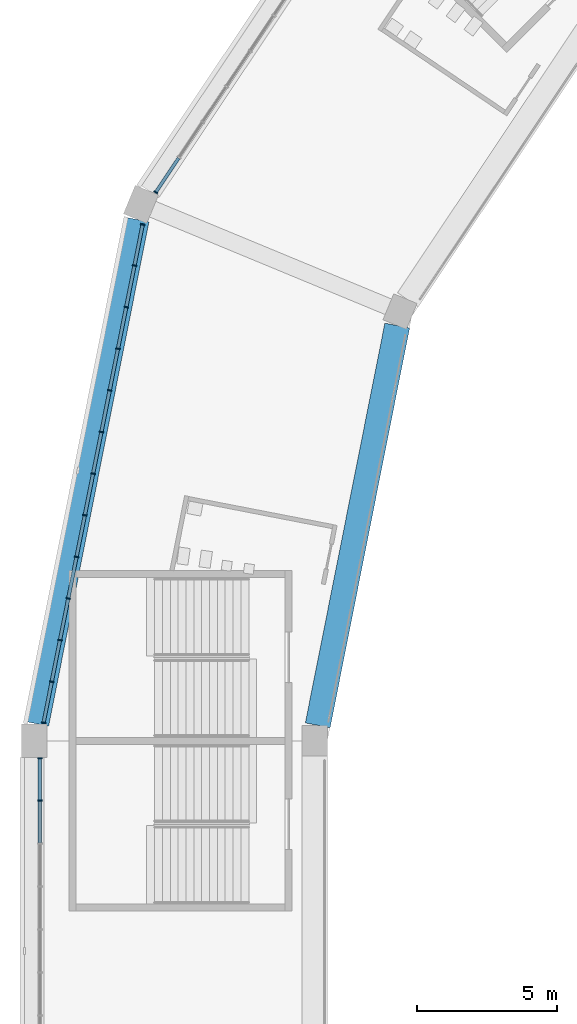
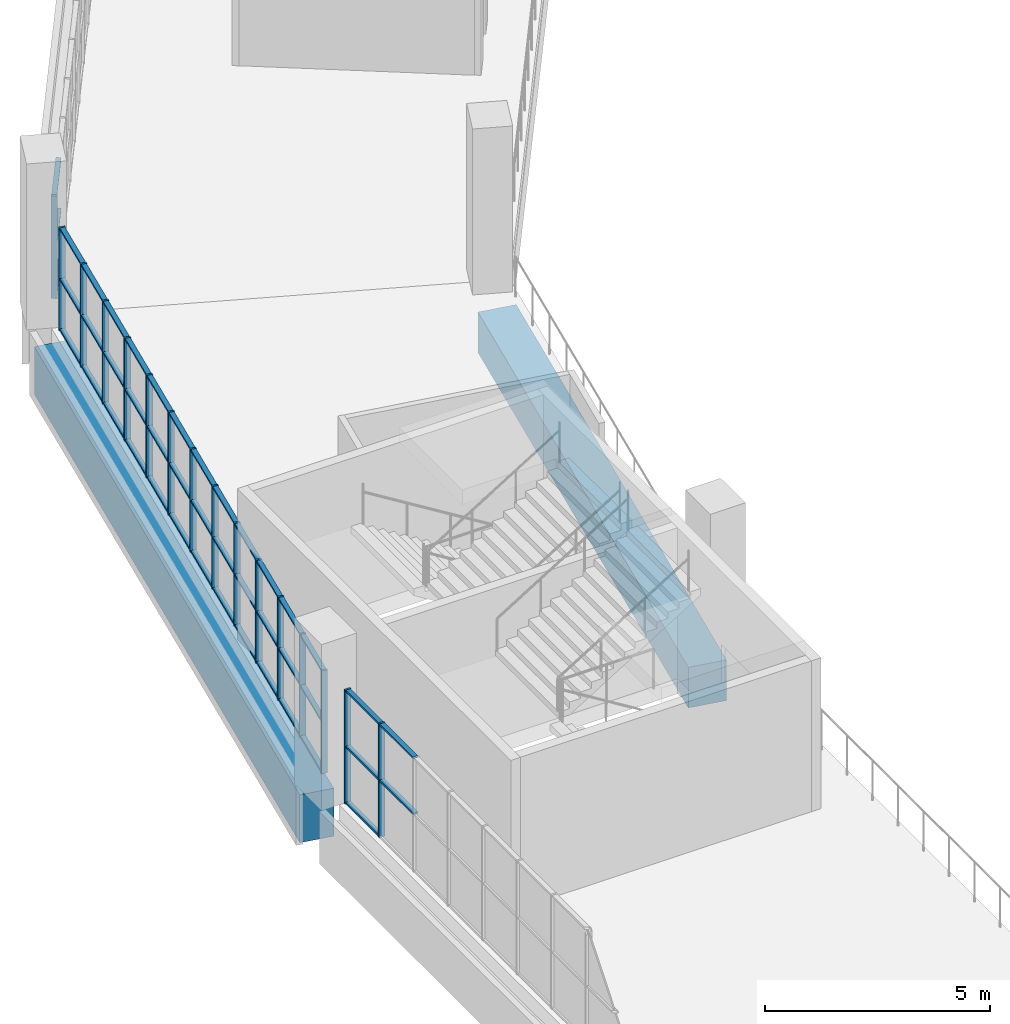
# One storey, part 28 of 177: 60 members, 2 beams, 3 elements without a shape of their own.
"""IFC4 building model written with IfcOpenShell, lengths in metres."""

import ifcopenshell
import ifcopenshell.guid

model = None  # the IFC model being written
_history = None  # IfcOwnerHistory: only IFC2X3 demands one
_inside = {}  # id of a spatial element -> (the spatial element, [elements in it])
_under = {}  # id of a project, library or spatial element -> (it, [spatial elements below it])
_declared = {}  # id of a project -> (the project, [libraries it declares])
_typed = {}  # id of a type object -> (the type object, [elements of that type])
_made_of = {}  # id of a material, layer set ... -> (it, [elements and type objects made of it])


def new_model(schema):
    """Start an empty IFC model of exactly this schema.

    Asked for "IFC4X3", IfcOpenShell would pick the latest addendum, in which some entities
    have other attributes; the version numbers below select the first issue.
    IFC2X3 requires an IfcOwnerHistory on every rooted entity: one is made here for all.
    """
    global model, _history
    if schema == "IFC4X3":
        model = ifcopenshell.file(schema_version=(4, 3, 0, 0))
    else:
        model = ifcopenshell.file(schema=schema)
    _inside.clear()
    _under.clear()
    _declared.clear()
    _typed.clear()
    _made_of.clear()
    _history = None
    if model.schema == "IFC2X3":
        org = make("IfcOrganization", Name="unknown")
        user = make(
            "IfcPersonAndOrganization",
            ThePerson=make("IfcPerson", FamilyName="unknown"),
            TheOrganization=org,
        )
        app = make(
            "IfcApplication",
            ApplicationDeveloper=org,
            Version="unknown",
            ApplicationFullName="unknown",
            ApplicationIdentifier="unknown",
        )
        _history = make(
            "IfcOwnerHistory",
            OwningUser=user,
            OwningApplication=app,
            ChangeAction="ADDED",
            CreationDate=0,
        )
    return model


def make(cls, **values):
    """One entity of the class cls with the attributes given. An attribute that is None is left unset."""
    return model.create_entity(
        cls, **{name: value for name, value in values.items() if value is not None}
    )


def rooted(cls, **values):
    """An entity with a GlobalId (a new one), such as an element, a storey or a relation."""
    return make(cls, GlobalId=ifcopenshell.guid.new(), OwnerHistory=_history, **values)


def si_unit(unit_type, name, prefix=None):
    """IfcSIUnit, for example si_unit("LENGTHUNIT", "METRE", prefix="MILLI")."""
    return make("IfcSIUnit", UnitType=unit_type, Prefix=prefix, Name=name)


def assignment(units):
    """IfcUnitAssignment: the units of a project."""
    return None if units is None else make("IfcUnitAssignment", Units=units)


def point(xyz):
    """IfcCartesianPoint."""
    return None if xyz is None else make("IfcCartesianPoint", Coordinates=xyz)


def direction(xyz):
    """IfcDirection."""
    return None if xyz is None else make("IfcDirection", DirectionRatios=xyz)


def frame(location, z_axis=None, x_axis=None):
    """IfcAxis2Placement3D, a coordinate frame: its origin and axes. An axis left out is left unset."""
    return make(
        "IfcAxis2Placement3D",
        Location=point(location),
        Axis=direction(z_axis),
        RefDirection=direction(x_axis),
    )


def frame_2d(location, x_axis=None):
    """IfcAxis2Placement2D, a coordinate frame in the plane: its origin and x axis."""
    return make(
        "IfcAxis2Placement2D", Location=point(location), RefDirection=direction(x_axis)
    )


def origin():
    """The frame at (0, 0, 0) with its axes left unset."""
    return frame((0.0, 0.0, 0.0))


def origin_2d():
    """The frame at (0, 0) in the plane with its x axis left unset."""
    return frame_2d((0.0, 0.0))


def place(relative_to, where):
    """IfcLocalPlacement: puts the frame where relative to a parent placement (None: the world)."""
    return make(
        "IfcLocalPlacement", PlacementRelTo=relative_to, RelativePlacement=where
    )


def context(
    kind, dimensions, precision=None, world=None, true_north=None, identifier=None
):
    """IfcGeometricRepresentationContext, for example the 3D "Model" context."""
    return make(
        "IfcGeometricRepresentationContext",
        ContextIdentifier=identifier,
        ContextType=kind,
        CoordinateSpaceDimension=dimensions,
        Precision=precision,
        WorldCoordinateSystem=world,
        TrueNorth=true_north,
    )


def subcontext(parent, identifier, kind, view, scale=None):
    """IfcGeometricRepresentationSubContext, for example "Body" below "Model"."""
    return make(
        "IfcGeometricRepresentationSubContext",
        ContextIdentifier=identifier,
        ContextType=kind,
        ParentContext=parent,
        TargetScale=scale,
        TargetView=view,
    )


def project(units=None, contexts=None):
    """IfcProject with its units and contexts."""
    return rooted(
        "IfcProject",
        Name="project",
        RepresentationContexts=contexts,
        UnitsInContext=assignment(units),
    )


def spatial(cls, under=None, at=None, **own):
    """A site, building, storey or space (cls), placed at a placement, below another one or the project."""
    s = rooted(cls, ObjectPlacement=at, **own)
    if under is not None:
        _under.setdefault(under.id(), (under, []))[1].append(s)
    return s


def profile(cls, at=None, kind="AREA", **sizes):
    """A parametric profile (cls). Its sizes go by their IFC names, for example OverallWidth=200.0."""
    return make(cls, ProfileType=kind, Position=at, **sizes)


def rectangle(**sizes):
    """IfcRectangleProfileDef."""
    return profile("IfcRectangleProfileDef", **sizes)


def extrude(swept, where, along, depth):
    """IfcExtrudedAreaSolid: the profile swept, set in the frame where, extruded along a direction by depth."""
    return make(
        "IfcExtrudedAreaSolid",
        SweptArea=swept,
        Position=where,
        ExtrudedDirection=direction(along),
        Depth=depth,
    )


def shape(context_of_items, identifier, shape_type, items):
    """IfcShapeRepresentation: the items that make up one representation, for example the "Body"."""
    return make(
        "IfcShapeRepresentation",
        ContextOfItems=context_of_items,
        RepresentationIdentifier=identifier,
        RepresentationType=shape_type,
        Items=items,
    )


def material(Name=None, Category=None):
    """IfcMaterial."""
    return make("IfcMaterial", Name=Name, Category=Category)


def material_profile(
    of_material, cross_section, Name=None, Category=None, Priority=None
):
    """IfcMaterialProfile: a cross section and its material."""
    return make(
        "IfcMaterialProfile",
        Name=Name,
        Material=of_material,
        Profile=cross_section,
        Priority=Priority,
        Category=Category,
    )


def profile_set(profiles, Name=None, composite=None):
    """IfcMaterialProfileSet."""
    return make(
        "IfcMaterialProfileSet",
        Name=Name,
        MaterialProfiles=profiles,
        CompositeProfile=composite,
    )


def made_of(thing, what):
    """Note that an element or type object is made of a material, layer set ...; save() writes the relation."""
    if what is not None:
        _made_of.setdefault(what.id(), (what, []))[1].append(thing)
    return thing


def type_object(cls, material=None, **own):
    """A type object (cls), such as IfcWallType, which elements share."""
    return made_of(rooted(cls, **own), material)


def element(
    cls,
    number,
    at=None,
    inside=None,
    cuts=None,
    type_object=None,
    material=None,
    context=None,
    identifier="Body",
    shape_type=None,
    held_by="IfcProductDefinitionShape",
    body=None,
    shapes=None,
    **own,
):
    """One element of the class cls, such as IfcWall. Its Tag is "e" and its number.

    at: its placement. inside: the storey or other place that contains it. cuts: it is an
    opening in that element (IfcRelVoidsElement). A single representation is given by context,
    identifier, shape_type and body (its items); several are given by shapes. held_by: the class
    of the entity that holds the representations. save() writes the other relations.
    """
    e = rooted(cls, Tag="e%d" % number, ObjectPlacement=at, **own)
    if body is not None:
        shapes = [shape(context, identifier, shape_type, body)]
    if shapes is not None:
        e.Representation = make(held_by, Representations=shapes)
    if inside is not None:
        _inside.setdefault(inside.id(), (inside, []))[1].append(e)
    if cuts is not None:
        rooted(
            "IfcRelVoidsElement", RelatingBuildingElement=cuts, RelatedOpeningElement=e
        )
    if type_object is not None:
        _typed.setdefault(type_object.id(), (type_object, []))[1].append(e)
    return made_of(e, material)


def aggregate(whole, parts):
    """IfcRelAggregates: a whole, such as a stair, and the parts it consists of."""
    return rooted("IfcRelAggregates", RelatingObject=whole, RelatedObjects=parts)


def save(model, path):
    """Write the relations noted so far, then the file.

    IfcRelAggregates (storeys below a building ...), IfcRelContainedInSpatialStructure (elements
    in a storey), IfcRelDefinesByType, IfcRelAssociatesMaterial and IfcRelDeclares: one each for
    every whole, place, type object, material and project.
    """
    for whole, parts in _under.values():
        aggregate(whole, parts)
    for where, things in _inside.values():
        rooted(
            "IfcRelContainedInSpatialStructure",
            RelatedElements=things,
            RelatingStructure=where,
        )
    for kind, things in _typed.values():
        rooted("IfcRelDefinesByType", RelatedObjects=things, RelatingType=kind)
    for what, things in _made_of.values():
        rooted("IfcRelAssociatesMaterial", RelatedObjects=things, RelatingMaterial=what)
    for by, libraries in _declared.values():
        rooted("IfcRelDeclares", RelatingContext=by, RelatedDefinitions=libraries)
    model.write(path)


model = new_model("IFC4")

# Units and contexts
model_context = context("Model", 3, precision=1e-05, world=origin(), true_north=direction((0.0, 1.0)))
body_context = subcontext(model_context, "Body", "Model", "MODEL_VIEW")
ifc_project = project(units=[si_unit("LENGTHUNIT", "METRE"), si_unit("AREAUNIT", "SQUARE_METRE"), si_unit("VOLUMEUNIT", "CUBIC_METRE"), si_unit("PLANEANGLEUNIT", "RADIAN"), si_unit("MASSUNIT", "GRAM", prefix="KILO")], contexts=[model_context])

# Site, building, storey
site_placement = place(None, origin())
site = spatial("IfcSite", under=ifc_project, at=site_placement, CompositionType="ELEMENT")
building_placement = place(site_placement, origin())
building = spatial("IfcBuilding", under=site, at=building_placement, Name="Ogive Plaza Stadium", CompositionType="ELEMENT")
storey_placement = place(building_placement, frame((0.0, 0.0, 18.0)))
storey = spatial("IfcBuildingStorey", under=building, at=storey_placement, Name="L04", CompositionType="ELEMENT", Elevation=18.0)

# Curtain wall, members
ifc_material_1 = material(Name="Bronze-anodised aluminium with laminated glass", Category="aluminium")
curtain_wall_type = type_object("IfcCurtainWallType", Name="Lancet curtain wall", PredefinedType="NOTDEFINED", material=ifc_material_1)
curtain_wall_1_placement = place(storey_placement, origin())
curtain_wall_1 = element("IfcCurtainWall", 1, at=curtain_wall_1_placement, inside=storey, type_object=curtain_wall_type, Name="CURTAIN WALL B27 L04", PredefinedType="NOTDEFINED")
ifc_material_2 = material(Name="Bronze-anodised aluminium", Category="aluminium")
ifc_material_profile_1 = material_profile(ifc_material_2, rectangle(XDim=0.14990234375, YDim=0.050048828125, at=origin_2d()), Name="AL 150x50")
ifc_profile_set_1 = profile_set([ifc_material_profile_1], Name="Bronze-anodised aluminium")
member_type_1 = type_object("IfcMemberType", Name="Curtain wall mullion 50x150", PredefinedType="MULLION", material=ifc_profile_set_1)
member_1_placement = place(storey_placement, frame((-83.800048828125, 50.36669921875, 0.0), z_axis=(0.0, 0.0, 1.0), x_axis=(-1.0, 0.0, 0.0)))
member_1 = element("IfcMember", 2, at=member_1_placement, type_object=member_type_1, Name="CW-B27-L04 mullion 9", PredefinedType="MULLION", context=body_context, shape_type="SweptSolid", body=[
    extrude(rectangle(XDim=0.14990234375, YDim=0.050048828125, at=origin_2d()), origin(), (0.0, 0.0, 1.0), 3.090087890625),
])
member_2_placement = place(storey_placement, frame((-83.800048828125, 51.875, 0.0), z_axis=(0.0, 0.0, 1.0), x_axis=(-1.0, 0.0, 0.0)))
member_2 = element("IfcMember", 3, at=member_2_placement, type_object=member_type_1, Name="CW-B27-L04 mullion 10", PredefinedType="MULLION", context=body_context, shape_type="SweptSolid", body=[
    extrude(rectangle(XDim=0.14990234375, YDim=0.050048828125, at=origin_2d()), origin(), (0.0, 0.0, 1.0), 3.090087890625),
])

curtain_wall_2_placement = place(storey_placement, origin())
curtain_wall_2 = element("IfcCurtainWall", 4, at=curtain_wall_2_placement, inside=storey, type_object=curtain_wall_type, Name="CURTAIN WALL B28 L04", PredefinedType="NOTDEFINED")
member_3_placement = place(storey_placement, frame((-83.66796875, 53.14404296875, 0.0), z_axis=(0.0, 0.0, 1.0), x_axis=(-0.980785280403, 0.195090322016, 0.0)))
member_3 = element("IfcMember", 5, at=member_3_placement, type_object=member_type_1, Name="CW-B28-L04 mullion 1", PredefinedType="MULLION", context=body_context, shape_type="SweptSolid", body=[
    extrude(rectangle(XDim=0.14990234375, YDim=0.050048828125, at=origin_2d()), origin(), (0.0, 0.0, 1.0), 2.7900390625),
])
member_4_placement = place(storey_placement, frame((-83.37744140625, 54.604248046875, 0.0), z_axis=(0.0, 0.0, 1.0), x_axis=(-0.980785280403, 0.195090322016, 0.0)))
member_4 = element("IfcMember", 6, at=member_4_placement, type_object=member_type_1, Name="CW-B28-L04 mullion 2", PredefinedType="MULLION", context=body_context, shape_type="SweptSolid", body=[
    extrude(rectangle(XDim=0.14990234375, YDim=0.050048828125, at=origin_2d()), origin(), (0.0, 0.0, 1.0), 2.7900390625),
])
member_5_placement = place(storey_placement, frame((-83.082275390625, 56.089111328125, 0.0), z_axis=(0.0, 0.0, 1.0), x_axis=(-0.980785280403, 0.195090322016, 0.0)))
member_5 = element("IfcMember", 7, at=member_5_placement, type_object=member_type_1, Name="CW-B28-L04 mullion 3", PredefinedType="MULLION", context=body_context, shape_type="SweptSolid", body=[
    extrude(rectangle(XDim=0.14990234375, YDim=0.050048828125, at=origin_2d()), origin(), (0.0, 0.0, 1.0), 2.7900390625),
])
member_6_placement = place(storey_placement, frame((-82.786865234375, 57.57373046875, 0.0), z_axis=(0.0, 0.0, 1.0), x_axis=(-0.980785280403, 0.195090322016, 0.0)))
member_6 = element("IfcMember", 8, at=member_6_placement, type_object=member_type_1, Name="CW-B28-L04 mullion 4", PredefinedType="MULLION", context=body_context, shape_type="SweptSolid", body=[
    extrude(rectangle(XDim=0.14990234375, YDim=0.050048828125, at=origin_2d()), origin(), (0.0, 0.0, 1.0), 2.7900390625),
])
member_7_placement = place(storey_placement, frame((-82.491455078125, 59.05859375, 0.0), z_axis=(0.0, 0.0, 1.0), x_axis=(-0.980785280403, 0.195090322016, 0.0)))
member_7 = element("IfcMember", 9, at=member_7_placement, type_object=member_type_1, Name="CW-B28-L04 mullion 5", PredefinedType="MULLION", context=body_context, shape_type="SweptSolid", body=[
    extrude(rectangle(XDim=0.14990234375, YDim=0.050048828125, at=origin_2d()), origin(), (0.0, 0.0, 1.0), 2.7900390625),
])
member_8_placement = place(storey_placement, frame((-82.1962890625, 60.543212890625, 0.0), z_axis=(0.0, 0.0, 1.0), x_axis=(-0.980785280403, 0.195090322016, 0.0)))
member_8 = element("IfcMember", 10, at=member_8_placement, type_object=member_type_1, Name="CW-B28-L04 mullion 6", PredefinedType="MULLION", context=body_context, shape_type="SweptSolid", body=[
    extrude(rectangle(XDim=0.14990234375, YDim=0.050048828125, at=origin_2d()), origin(), (0.0, 0.0, 1.0), 2.7900390625),
])
member_9_placement = place(storey_placement, frame((-81.90087890625, 62.028076171875, 0.0), z_axis=(0.0, 0.0, 1.0), x_axis=(-0.980785280403, 0.195090322016, 0.0)))
member_9 = element("IfcMember", 11, at=member_9_placement, type_object=member_type_1, Name="CW-B28-L04 mullion 7", PredefinedType="MULLION", context=body_context, shape_type="SweptSolid", body=[
    extrude(rectangle(XDim=0.14990234375, YDim=0.050048828125, at=origin_2d()), origin(), (0.0, 0.0, 1.0), 2.7900390625),
])
member_10_placement = place(storey_placement, frame((-81.60546875, 63.512939453125, 0.0), z_axis=(0.0, 0.0, 1.0), x_axis=(-0.980785280403, 0.195090322016, 0.0)))
member_10 = element("IfcMember", 12, at=member_10_placement, type_object=member_type_1, Name="CW-B28-L04 mullion 8", PredefinedType="MULLION", context=body_context, shape_type="SweptSolid", body=[
    extrude(rectangle(XDim=0.14990234375, YDim=0.050048828125, at=origin_2d()), origin(), (0.0, 0.0, 1.0), 2.7900390625),
])
member_11_placement = place(storey_placement, frame((-81.31005859375, 64.99755859375, 0.0), z_axis=(0.0, 0.0, 1.0), x_axis=(-0.980785280403, 0.195090322016, 0.0)))
member_11 = element("IfcMember", 13, at=member_11_placement, type_object=member_type_1, Name="CW-B28-L04 mullion 9", PredefinedType="MULLION", context=body_context, shape_type="SweptSolid", body=[
    extrude(rectangle(XDim=0.14990234375, YDim=0.050048828125, at=origin_2d()), origin(), (0.0, 0.0, 1.0), 2.7900390625),
])
member_12_placement = place(storey_placement, frame((-81.014892578125, 66.482421875, 0.0), z_axis=(0.0, 0.0, 1.0), x_axis=(-0.980785280403, 0.195090322016, 0.0)))
member_12 = element("IfcMember", 14, at=member_12_placement, type_object=member_type_1, Name="CW-B28-L04 mullion 10", PredefinedType="MULLION", context=body_context, shape_type="SweptSolid", body=[
    extrude(rectangle(XDim=0.14990234375, YDim=0.050048828125, at=origin_2d()), origin(), (0.0, 0.0, 1.0), 2.7900390625),
])
member_13_placement = place(storey_placement, frame((-80.719482421875, 67.967041015625, 0.0), z_axis=(0.0, 0.0, 1.0), x_axis=(-0.980785280403, 0.195090322016, 0.0)))
member_13 = element("IfcMember", 15, at=member_13_placement, type_object=member_type_1, Name="CW-B28-L04 mullion 11", PredefinedType="MULLION", context=body_context, shape_type="SweptSolid", body=[
    extrude(rectangle(XDim=0.14990234375, YDim=0.050048828125, at=origin_2d()), origin(), (0.0, 0.0, 1.0), 2.7900390625),
])
member_14_placement = place(storey_placement, frame((-80.424072265625, 69.451904296875, 0.0), z_axis=(0.0, 0.0, 1.0), x_axis=(-0.980785280403, 0.195090322016, 0.0)))
member_14 = element("IfcMember", 16, at=member_14_placement, type_object=member_type_1, Name="CW-B28-L04 mullion 12", PredefinedType="MULLION", context=body_context, shape_type="SweptSolid", body=[
    extrude(rectangle(XDim=0.14990234375, YDim=0.050048828125, at=origin_2d()), origin(), (0.0, 0.0, 1.0), 2.7900390625),
])
member_15_placement = place(storey_placement, frame((-80.1337890625, 70.912109375, 0.0), z_axis=(0.0, 0.0, 1.0), x_axis=(-0.980785280403, 0.195090322016, 0.0)))
member_15 = element("IfcMember", 17, at=member_15_placement, type_object=member_type_1, Name="CW-B28-L04 mullion 13", PredefinedType="MULLION", context=body_context, shape_type="SweptSolid", body=[
    extrude(rectangle(XDim=0.14990234375, YDim=0.050048828125, at=origin_2d()), origin(), (0.0, 0.0, 1.0), 2.7900390625),
])

# Curtain wall, member
curtain_wall_3_placement = place(storey_placement, origin())
curtain_wall_3 = element("IfcCurtainWall", 18, at=curtain_wall_3_placement, inside=storey, type_object=curtain_wall_type, Name="CURTAIN WALL B29 L04", PredefinedType="NOTDEFINED")
member_16_placement = place(storey_placement, frame((-79.669189453125, 72.059814453125, 0.0), z_axis=(0.0, 0.0, 1.0), x_axis=(-0.831469612303, 0.55557023302, 0.0)))
member_16 = element("IfcMember", 19, at=member_16_placement, type_object=member_type_1, Name="CW-B29-L04 mullion 1", PredefinedType="MULLION", context=body_context, shape_type="SweptSolid", body=[
    extrude(rectangle(XDim=0.14990234375, YDim=0.050048828125, at=origin_2d()), origin(), (0.0, 0.0, 1.0), 2.7900390625),
])

# Member
ifc_material_3 = material(Name="Bronze-anodised aluminium", Category="aluminium")
ifc_material_profile_2 = material_profile(ifc_material_3, rectangle(XDim=0.1201171875, YDim=0.050048828125, at=origin_2d()), Name="AL 120x50")
ifc_profile_set_2 = profile_set([ifc_material_profile_2], Name="Bronze-anodised aluminium")
member_type_2 = type_object("IfcMemberType", Name="Curtain wall transom 50x120", PredefinedType="USERDEFINED", material=ifc_profile_set_2)
member_17_placement = place(storey_placement, frame((-83.800048828125, 48.8583984375, 1.544921875), z_axis=(0.0, 1.0, 0.0), x_axis=(-1.0, 0.0, 0.0)))
member_17 = element("IfcMember", 20, at=member_17_placement, type_object=member_type_2, Name="CW-B27-L04 transom 8.2", ObjectType="TRANSOM", PredefinedType="USERDEFINED", context=body_context, shape_type="SweptSolid", body=[
    extrude(rectangle(XDim=0.1201171875, YDim=0.050048828125, at=origin_2d()), origin(), (0.0, 0.0, 1.0), 1.483154296875),
])

member_18_placement = place(storey_placement, frame((-83.800048828125, 48.8583984375, 3.06494140625), z_axis=(0.0, 1.0, 0.0), x_axis=(-1.0, 0.0, 0.0)))
member_18 = element("IfcMember", 21, at=member_18_placement, type_object=member_type_2, Name="CW-B27-L04 transom 8.3", ObjectType="TRANSOM", PredefinedType="USERDEFINED", context=body_context, shape_type="SweptSolid", body=[
    extrude(rectangle(XDim=0.1201171875, YDim=0.050048828125, at=origin_2d()), origin(), (0.0, 0.0, 1.0), 1.483154296875),
])

member_19_placement = place(storey_placement, frame((-83.800048828125, 50.3916015625, 0.02490234375), z_axis=(0.0, 1.0, 0.0), x_axis=(-1.0, 0.0, 0.0)))
member_19 = element("IfcMember", 22, at=member_19_placement, type_object=member_type_2, Name="CW-B27-L04 transom 9.1", ObjectType="TRANSOM", PredefinedType="USERDEFINED", context=body_context, shape_type="SweptSolid", body=[
    extrude(rectangle(XDim=0.1201171875, YDim=0.050048828125, at=origin_2d()), origin(), (0.0, 0.0, 1.0), 1.45849609375),
])

member_20_placement = place(storey_placement, frame((-83.800048828125, 50.3916015625, 1.544921875), z_axis=(0.0, 1.0, 0.0), x_axis=(-1.0, 0.0, 0.0)))
member_20 = element("IfcMember", 23, at=member_20_placement, type_object=member_type_2, Name="CW-B27-L04 transom 9.2", ObjectType="TRANSOM", PredefinedType="USERDEFINED", context=body_context, shape_type="SweptSolid", body=[
    extrude(rectangle(XDim=0.1201171875, YDim=0.050048828125, at=origin_2d()), origin(), (0.0, 0.0, 1.0), 1.45849609375),
])

member_21_placement = place(storey_placement, frame((-83.800048828125, 50.3916015625, 3.06494140625), z_axis=(0.0, 1.0, 0.0), x_axis=(-1.0, 0.0, 0.0)))
member_21 = element("IfcMember", 24, at=member_21_placement, type_object=member_type_2, Name="CW-B27-L04 transom 9.3", ObjectType="TRANSOM", PredefinedType="USERDEFINED", context=body_context, shape_type="SweptSolid", body=[
    extrude(rectangle(XDim=0.1201171875, YDim=0.050048828125, at=origin_2d()), origin(), (0.0, 0.0, 1.0), 1.45849609375),
])

aggregate(curtain_wall_1, [member_1, member_2, member_17, member_18, member_19, member_20, member_21])

member_22_placement = place(storey_placement, frame((-83.6630859375, 53.16845703125, 0.02490234375), z_axis=(0.195104618913, 0.980782436465, 0.0), x_axis=(-0.980782436465, 0.195104618913, 0.0)))
member_22 = element("IfcMember", 25, at=member_22_placement, type_object=member_type_2, Name="CW-B28-L04 transom 1.1", ObjectType="TRANSOM", PredefinedType="USERDEFINED", context=body_context, shape_type="SweptSolid", body=[
    extrude(rectangle(XDim=0.1201171875, YDim=0.050048828125, at=origin_2d()), origin(), (0.0, 0.0, 1.0), 1.43896484375),
])

member_23_placement = place(storey_placement, frame((-83.6630859375, 53.16845703125, 1.39501953125), z_axis=(0.195104618913, 0.980782436465, 0.0), x_axis=(-0.980782436465, 0.195104618913, 0.0)))
member_23 = element("IfcMember", 26, at=member_23_placement, type_object=member_type_2, Name="CW-B28-L04 transom 1.2", ObjectType="TRANSOM", PredefinedType="USERDEFINED", context=body_context, shape_type="SweptSolid", body=[
    extrude(rectangle(XDim=0.1201171875, YDim=0.050048828125, at=origin_2d()), origin(), (0.0, 0.0, 1.0), 1.43896484375),
])

member_24_placement = place(storey_placement, frame((-83.6630859375, 53.16845703125, 2.764892578125), z_axis=(0.195104618913, 0.980782436465, 0.0), x_axis=(-0.980782436465, 0.195104618913, 0.0)))
member_24 = element("IfcMember", 27, at=member_24_placement, type_object=member_type_2, Name="CW-B28-L04 transom 1.3", ObjectType="TRANSOM", PredefinedType="USERDEFINED", context=body_context, shape_type="SweptSolid", body=[
    extrude(rectangle(XDim=0.1201171875, YDim=0.050048828125, at=origin_2d()), origin(), (0.0, 0.0, 1.0), 1.43896484375),
])

member_25_placement = place(storey_placement, frame((-83.37255859375, 54.62890625, 0.02490234375), z_axis=(0.194993290732, 0.980804576136, 0.0), x_axis=(-0.980804576136, 0.194993290732, 0.0)))
member_25 = element("IfcMember", 28, at=member_25_placement, type_object=member_type_2, Name="CW-B28-L04 transom 2.1", ObjectType="TRANSOM", PredefinedType="USERDEFINED", context=body_context, shape_type="SweptSolid", body=[
    extrude(rectangle(XDim=0.1201171875, YDim=0.050048828125, at=origin_2d()), origin(), (0.0, 0.0, 1.0), 1.463623046875),
])

member_26_placement = place(storey_placement, frame((-83.37255859375, 54.62890625, 1.39501953125), z_axis=(0.194993290732, 0.980804576136, 0.0), x_axis=(-0.980804576136, 0.194993290732, 0.0)))
member_26 = element("IfcMember", 29, at=member_26_placement, type_object=member_type_2, Name="CW-B28-L04 transom 2.2", ObjectType="TRANSOM", PredefinedType="USERDEFINED", context=body_context, shape_type="SweptSolid", body=[
    extrude(rectangle(XDim=0.1201171875, YDim=0.050048828125, at=origin_2d()), origin(), (0.0, 0.0, 1.0), 1.463623046875),
])

member_27_placement = place(storey_placement, frame((-83.37255859375, 54.62890625, 2.764892578125), z_axis=(0.194993290732, 0.980804576136, 0.0), x_axis=(-0.980804576136, 0.194993290732, 0.0)))
member_27 = element("IfcMember", 30, at=member_27_placement, type_object=member_type_2, Name="CW-B28-L04 transom 2.3", ObjectType="TRANSOM", PredefinedType="USERDEFINED", context=body_context, shape_type="SweptSolid", body=[
    extrude(rectangle(XDim=0.1201171875, YDim=0.050048828125, at=origin_2d()), origin(), (0.0, 0.0, 1.0), 1.463623046875),
])

member_28_placement = place(storey_placement, frame((-83.077392578125, 56.113525390625, 0.02490234375), z_axis=(0.195121823859, 0.980779013771, 0.0), x_axis=(-0.980779013771, 0.195121823859, 0.0)))
member_28 = element("IfcMember", 31, at=member_28_placement, type_object=member_type_2, Name="CW-B28-L04 transom 3.1", ObjectType="TRANSOM", PredefinedType="USERDEFINED", context=body_context, shape_type="SweptSolid", body=[
    extrude(rectangle(XDim=0.1201171875, YDim=0.050048828125, at=origin_2d()), origin(), (0.0, 0.0, 1.0), 1.4638671875),
])

member_29_placement = place(storey_placement, frame((-83.077392578125, 56.113525390625, 1.39501953125), z_axis=(0.195121823859, 0.980779013771, 0.0), x_axis=(-0.980779013771, 0.195121823859, 0.0)))
member_29 = element("IfcMember", 32, at=member_29_placement, type_object=member_type_2, Name="CW-B28-L04 transom 3.2", ObjectType="TRANSOM", PredefinedType="USERDEFINED", context=body_context, shape_type="SweptSolid", body=[
    extrude(rectangle(XDim=0.1201171875, YDim=0.050048828125, at=origin_2d()), origin(), (0.0, 0.0, 1.0), 1.4638671875),
])

member_30_placement = place(storey_placement, frame((-83.077392578125, 56.113525390625, 2.764892578125), z_axis=(0.195121823859, 0.980779013771, 0.0), x_axis=(-0.980779013771, 0.195121823859, 0.0)))
member_30 = element("IfcMember", 33, at=member_30_placement, type_object=member_type_2, Name="CW-B28-L04 transom 3.3", ObjectType="TRANSOM", PredefinedType="USERDEFINED", context=body_context, shape_type="SweptSolid", body=[
    extrude(rectangle(XDim=0.1201171875, YDim=0.050048828125, at=origin_2d()), origin(), (0.0, 0.0, 1.0), 1.4638671875),
])

member_31_placement = place(storey_placement, frame((-82.781982421875, 57.598388671875, 0.02490234375), z_axis=(0.195153744134, 0.980772662828, 0.0), x_axis=(-0.980772662828, 0.195153744134, 0.0)))
member_31 = element("IfcMember", 34, at=member_31_placement, type_object=member_type_2, Name="CW-B28-L04 transom 4.1", ObjectType="TRANSOM", PredefinedType="USERDEFINED", context=body_context, shape_type="SweptSolid", body=[
    extrude(rectangle(XDim=0.1201171875, YDim=0.050048828125, at=origin_2d()), origin(), (0.0, 0.0, 1.0), 1.463623046875),
])

member_32_placement = place(storey_placement, frame((-82.781982421875, 57.598388671875, 1.39501953125), z_axis=(0.195153744134, 0.980772662828, 0.0), x_axis=(-0.980772662828, 0.195153744134, 0.0)))
member_32 = element("IfcMember", 35, at=member_32_placement, type_object=member_type_2, Name="CW-B28-L04 transom 4.2", ObjectType="TRANSOM", PredefinedType="USERDEFINED", context=body_context, shape_type="SweptSolid", body=[
    extrude(rectangle(XDim=0.1201171875, YDim=0.050048828125, at=origin_2d()), origin(), (0.0, 0.0, 1.0), 1.463623046875),
])

member_33_placement = place(storey_placement, frame((-82.781982421875, 57.598388671875, 2.764892578125), z_axis=(0.195153744134, 0.980772662828, 0.0), x_axis=(-0.980772662828, 0.195153744134, 0.0)))
member_33 = element("IfcMember", 36, at=member_33_placement, type_object=member_type_2, Name="CW-B28-L04 transom 4.3", ObjectType="TRANSOM", PredefinedType="USERDEFINED", context=body_context, shape_type="SweptSolid", body=[
    extrude(rectangle(XDim=0.1201171875, YDim=0.050048828125, at=origin_2d()), origin(), (0.0, 0.0, 1.0), 1.463623046875),
])

member_34_placement = place(storey_placement, frame((-82.486572265625, 59.0830078125, 0.02490234375), z_axis=(0.195121823859, 0.980779013771, 0.0), x_axis=(-0.980779013771, 0.195121823859, 0.0)))
member_34 = element("IfcMember", 37, at=member_34_placement, type_object=member_type_2, Name="CW-B28-L04 transom 5.1", ObjectType="TRANSOM", PredefinedType="USERDEFINED", context=body_context, shape_type="SweptSolid", body=[
    extrude(rectangle(XDim=0.1201171875, YDim=0.050048828125, at=origin_2d()), origin(), (0.0, 0.0, 1.0), 1.4638671875),
])

member_35_placement = place(storey_placement, frame((-82.486572265625, 59.0830078125, 1.39501953125), z_axis=(0.195121823859, 0.980779013771, 0.0), x_axis=(-0.980779013771, 0.195121823859, 0.0)))
member_35 = element("IfcMember", 38, at=member_35_placement, type_object=member_type_2, Name="CW-B28-L04 transom 5.2", ObjectType="TRANSOM", PredefinedType="USERDEFINED", context=body_context, shape_type="SweptSolid", body=[
    extrude(rectangle(XDim=0.1201171875, YDim=0.050048828125, at=origin_2d()), origin(), (0.0, 0.0, 1.0), 1.4638671875),
])

member_36_placement = place(storey_placement, frame((-82.486572265625, 59.0830078125, 2.764892578125), z_axis=(0.195121823859, 0.980779013771, 0.0), x_axis=(-0.980779013771, 0.195121823859, 0.0)))
member_36 = element("IfcMember", 39, at=member_36_placement, type_object=member_type_2, Name="CW-B28-L04 transom 5.3", ObjectType="TRANSOM", PredefinedType="USERDEFINED", context=body_context, shape_type="SweptSolid", body=[
    extrude(rectangle(XDim=0.1201171875, YDim=0.050048828125, at=origin_2d()), origin(), (0.0, 0.0, 1.0), 1.4638671875),
])

member_37_placement = place(storey_placement, frame((-82.19140625, 60.56787109375, 0.02490234375), z_axis=(0.195121823859, 0.980779013771, 0.0), x_axis=(-0.980779013771, 0.195121823859, 0.0)))
member_37 = element("IfcMember", 40, at=member_37_placement, type_object=member_type_2, Name="CW-B28-L04 transom 6.1", ObjectType="TRANSOM", PredefinedType="USERDEFINED", context=body_context, shape_type="SweptSolid", body=[
    extrude(rectangle(XDim=0.1201171875, YDim=0.050048828125, at=origin_2d()), origin(), (0.0, 0.0, 1.0), 1.4638671875),
])

member_38_placement = place(storey_placement, frame((-82.19140625, 60.56787109375, 1.39501953125), z_axis=(0.195121823859, 0.980779013771, 0.0), x_axis=(-0.980779013771, 0.195121823859, 0.0)))
member_38 = element("IfcMember", 41, at=member_38_placement, type_object=member_type_2, Name="CW-B28-L04 transom 6.2", ObjectType="TRANSOM", PredefinedType="USERDEFINED", context=body_context, shape_type="SweptSolid", body=[
    extrude(rectangle(XDim=0.1201171875, YDim=0.050048828125, at=origin_2d()), origin(), (0.0, 0.0, 1.0), 1.4638671875),
])

member_39_placement = place(storey_placement, frame((-82.19140625, 60.56787109375, 2.764892578125), z_axis=(0.195121823859, 0.980779013771, 0.0), x_axis=(-0.980779013771, 0.195121823859, 0.0)))
member_39 = element("IfcMember", 42, at=member_39_placement, type_object=member_type_2, Name="CW-B28-L04 transom 6.3", ObjectType="TRANSOM", PredefinedType="USERDEFINED", context=body_context, shape_type="SweptSolid", body=[
    extrude(rectangle(XDim=0.1201171875, YDim=0.050048828125, at=origin_2d()), origin(), (0.0, 0.0, 1.0), 1.4638671875),
])

member_40_placement = place(storey_placement, frame((-81.89599609375, 62.052490234375, 0.02490234375), z_axis=(0.195121823859, 0.980779013771, 0.0), x_axis=(-0.980779013771, 0.195121823859, 0.0)))
member_40 = element("IfcMember", 43, at=member_40_placement, type_object=member_type_2, Name="CW-B28-L04 transom 7.1", ObjectType="TRANSOM", PredefinedType="USERDEFINED", context=body_context, shape_type="SweptSolid", body=[
    extrude(rectangle(XDim=0.1201171875, YDim=0.050048828125, at=origin_2d()), origin(), (0.0, 0.0, 1.0), 1.4638671875),
])

member_41_placement = place(storey_placement, frame((-81.89599609375, 62.052490234375, 1.39501953125), z_axis=(0.195121823859, 0.980779013771, 0.0), x_axis=(-0.980779013771, 0.195121823859, 0.0)))
member_41 = element("IfcMember", 44, at=member_41_placement, type_object=member_type_2, Name="CW-B28-L04 transom 7.2", ObjectType="TRANSOM", PredefinedType="USERDEFINED", context=body_context, shape_type="SweptSolid", body=[
    extrude(rectangle(XDim=0.1201171875, YDim=0.050048828125, at=origin_2d()), origin(), (0.0, 0.0, 1.0), 1.4638671875),
])

member_42_placement = place(storey_placement, frame((-81.89599609375, 62.052490234375, 2.764892578125), z_axis=(0.195121823859, 0.980779013771, 0.0), x_axis=(-0.980779013771, 0.195121823859, 0.0)))
member_42 = element("IfcMember", 45, at=member_42_placement, type_object=member_type_2, Name="CW-B28-L04 transom 7.3", ObjectType="TRANSOM", PredefinedType="USERDEFINED", context=body_context, shape_type="SweptSolid", body=[
    extrude(rectangle(XDim=0.1201171875, YDim=0.050048828125, at=origin_2d()), origin(), (0.0, 0.0, 1.0), 1.4638671875),
])

member_43_placement = place(storey_placement, frame((-81.6005859375, 63.537353515625, 0.02490234375), z_axis=(0.195121823859, 0.980779013771, 0.0), x_axis=(-0.980779013771, 0.195121823859, 0.0)))
member_43 = element("IfcMember", 46, at=member_43_placement, type_object=member_type_2, Name="CW-B28-L04 transom 8.1", ObjectType="TRANSOM", PredefinedType="USERDEFINED", context=body_context, shape_type="SweptSolid", body=[
    extrude(rectangle(XDim=0.1201171875, YDim=0.050048828125, at=origin_2d()), origin(), (0.0, 0.0, 1.0), 1.4638671875),
])

member_44_placement = place(storey_placement, frame((-81.6005859375, 63.537353515625, 1.39501953125), z_axis=(0.195121823859, 0.980779013771, 0.0), x_axis=(-0.980779013771, 0.195121823859, 0.0)))
member_44 = element("IfcMember", 47, at=member_44_placement, type_object=member_type_2, Name="CW-B28-L04 transom 8.2", ObjectType="TRANSOM", PredefinedType="USERDEFINED", context=body_context, shape_type="SweptSolid", body=[
    extrude(rectangle(XDim=0.1201171875, YDim=0.050048828125, at=origin_2d()), origin(), (0.0, 0.0, 1.0), 1.4638671875),
])

member_45_placement = place(storey_placement, frame((-81.6005859375, 63.537353515625, 2.764892578125), z_axis=(0.195121823859, 0.980779013771, 0.0), x_axis=(-0.980779013771, 0.195121823859, 0.0)))
member_45 = element("IfcMember", 48, at=member_45_placement, type_object=member_type_2, Name="CW-B28-L04 transom 8.3", ObjectType="TRANSOM", PredefinedType="USERDEFINED", context=body_context, shape_type="SweptSolid", body=[
    extrude(rectangle(XDim=0.1201171875, YDim=0.050048828125, at=origin_2d()), origin(), (0.0, 0.0, 1.0), 1.4638671875),
])

member_46_placement = place(storey_placement, frame((-81.30517578125, 65.022216796875, 0.02490234375), z_axis=(0.194993290732, 0.980804576136, 0.0), x_axis=(-0.980804576136, 0.194993290732, 0.0)))
member_46 = element("IfcMember", 49, at=member_46_placement, type_object=member_type_2, Name="CW-B28-L04 transom 9.1", ObjectType="TRANSOM", PredefinedType="USERDEFINED", context=body_context, shape_type="SweptSolid", body=[
    extrude(rectangle(XDim=0.1201171875, YDim=0.050048828125, at=origin_2d()), origin(), (0.0, 0.0, 1.0), 1.463623046875),
])

member_47_placement = place(storey_placement, frame((-81.30517578125, 65.022216796875, 1.39501953125), z_axis=(0.194993290732, 0.980804576136, 0.0), x_axis=(-0.980804576136, 0.194993290732, 0.0)))
member_47 = element("IfcMember", 50, at=member_47_placement, type_object=member_type_2, Name="CW-B28-L04 transom 9.2", ObjectType="TRANSOM", PredefinedType="USERDEFINED", context=body_context, shape_type="SweptSolid", body=[
    extrude(rectangle(XDim=0.1201171875, YDim=0.050048828125, at=origin_2d()), origin(), (0.0, 0.0, 1.0), 1.463623046875),
])

member_48_placement = place(storey_placement, frame((-81.30517578125, 65.022216796875, 2.764892578125), z_axis=(0.194993290732, 0.980804576136, 0.0), x_axis=(-0.980804576136, 0.194993290732, 0.0)))
member_48 = element("IfcMember", 51, at=member_48_placement, type_object=member_type_2, Name="CW-B28-L04 transom 9.3", ObjectType="TRANSOM", PredefinedType="USERDEFINED", context=body_context, shape_type="SweptSolid", body=[
    extrude(rectangle(XDim=0.1201171875, YDim=0.050048828125, at=origin_2d()), origin(), (0.0, 0.0, 1.0), 1.463623046875),
])

member_49_placement = place(storey_placement, frame((-81.010009765625, 66.5068359375, 0.02490234375), z_axis=(0.195121823859, 0.980779013771, 0.0), x_axis=(-0.980779013771, 0.195121823859, 0.0)))
member_49 = element("IfcMember", 52, at=member_49_placement, type_object=member_type_2, Name="CW-B28-L04 transom 10.1", ObjectType="TRANSOM", PredefinedType="USERDEFINED", context=body_context, shape_type="SweptSolid", body=[
    extrude(rectangle(XDim=0.1201171875, YDim=0.050048828125, at=origin_2d()), origin(), (0.0, 0.0, 1.0), 1.4638671875),
])

member_50_placement = place(storey_placement, frame((-81.010009765625, 66.5068359375, 1.39501953125), z_axis=(0.195121823859, 0.980779013771, 0.0), x_axis=(-0.980779013771, 0.195121823859, 0.0)))
member_50 = element("IfcMember", 53, at=member_50_placement, type_object=member_type_2, Name="CW-B28-L04 transom 10.2", ObjectType="TRANSOM", PredefinedType="USERDEFINED", context=body_context, shape_type="SweptSolid", body=[
    extrude(rectangle(XDim=0.1201171875, YDim=0.050048828125, at=origin_2d()), origin(), (0.0, 0.0, 1.0), 1.4638671875),
])

member_51_placement = place(storey_placement, frame((-81.010009765625, 66.5068359375, 2.764892578125), z_axis=(0.195121823859, 0.980779013771, 0.0), x_axis=(-0.980779013771, 0.195121823859, 0.0)))
member_51 = element("IfcMember", 54, at=member_51_placement, type_object=member_type_2, Name="CW-B28-L04 transom 10.3", ObjectType="TRANSOM", PredefinedType="USERDEFINED", context=body_context, shape_type="SweptSolid", body=[
    extrude(rectangle(XDim=0.1201171875, YDim=0.050048828125, at=origin_2d()), origin(), (0.0, 0.0, 1.0), 1.4638671875),
])

member_52_placement = place(storey_placement, frame((-80.714599609375, 67.99169921875, 0.02490234375), z_axis=(0.195153744134, 0.980772662828, 0.0), x_axis=(-0.980772662828, 0.195153744134, 0.0)))
member_52 = element("IfcMember", 55, at=member_52_placement, type_object=member_type_2, Name="CW-B28-L04 transom 11.1", ObjectType="TRANSOM", PredefinedType="USERDEFINED", context=body_context, shape_type="SweptSolid", body=[
    extrude(rectangle(XDim=0.1201171875, YDim=0.050048828125, at=origin_2d()), origin(), (0.0, 0.0, 1.0), 1.463623046875),
])

member_53_placement = place(storey_placement, frame((-80.714599609375, 67.99169921875, 1.39501953125), z_axis=(0.195153744134, 0.980772662828, 0.0), x_axis=(-0.980772662828, 0.195153744134, 0.0)))
member_53 = element("IfcMember", 56, at=member_53_placement, type_object=member_type_2, Name="CW-B28-L04 transom 11.2", ObjectType="TRANSOM", PredefinedType="USERDEFINED", context=body_context, shape_type="SweptSolid", body=[
    extrude(rectangle(XDim=0.1201171875, YDim=0.050048828125, at=origin_2d()), origin(), (0.0, 0.0, 1.0), 1.463623046875),
])

member_54_placement = place(storey_placement, frame((-80.714599609375, 67.99169921875, 2.764892578125), z_axis=(0.195153744134, 0.980772662828, 0.0), x_axis=(-0.980772662828, 0.195153744134, 0.0)))
member_54 = element("IfcMember", 57, at=member_54_placement, type_object=member_type_2, Name="CW-B28-L04 transom 11.3", ObjectType="TRANSOM", PredefinedType="USERDEFINED", context=body_context, shape_type="SweptSolid", body=[
    extrude(rectangle(XDim=0.1201171875, YDim=0.050048828125, at=origin_2d()), origin(), (0.0, 0.0, 1.0), 1.463623046875),
])

member_55_placement = place(storey_placement, frame((-80.419189453125, 69.476318359375, 0.02490234375), z_axis=(0.194941412722, 0.980814888552, 0.0), x_axis=(-0.980814888552, 0.194941412722, 0.0)))
member_55 = element("IfcMember", 58, at=member_55_placement, type_object=member_type_2, Name="CW-B28-L04 transom 12.1", ObjectType="TRANSOM", PredefinedType="USERDEFINED", context=body_context, shape_type="SweptSolid", body=[
    extrude(rectangle(XDim=0.1201171875, YDim=0.050048828125, at=origin_2d()), origin(), (0.0, 0.0, 1.0), 1.43896484375),
])

member_56_placement = place(storey_placement, frame((-80.419189453125, 69.476318359375, 1.39501953125), z_axis=(0.194941412722, 0.980814888552, 0.0), x_axis=(-0.980814888552, 0.194941412722, 0.0)))
member_56 = element("IfcMember", 59, at=member_56_placement, type_object=member_type_2, Name="CW-B28-L04 transom 12.2", ObjectType="TRANSOM", PredefinedType="USERDEFINED", context=body_context, shape_type="SweptSolid", body=[
    extrude(rectangle(XDim=0.1201171875, YDim=0.050048828125, at=origin_2d()), origin(), (0.0, 0.0, 1.0), 1.43896484375),
])

member_57_placement = place(storey_placement, frame((-80.419189453125, 69.476318359375, 2.764892578125), z_axis=(0.194941412722, 0.980814888552, 0.0), x_axis=(-0.980814888552, 0.194941412722, 0.0)))
member_57 = element("IfcMember", 60, at=member_57_placement, type_object=member_type_2, Name="CW-B28-L04 transom 12.3", ObjectType="TRANSOM", PredefinedType="USERDEFINED", context=body_context, shape_type="SweptSolid", body=[
    extrude(rectangle(XDim=0.1201171875, YDim=0.050048828125, at=origin_2d()), origin(), (0.0, 0.0, 1.0), 1.43896484375),
])

aggregate(curtain_wall_2, [member_3, member_4, member_5, member_6, member_7, member_8, member_9, member_10, member_11, member_12, member_13, member_14, member_15, member_22, member_23, member_24, member_25, member_26, member_27, member_28, member_29, member_30, member_31, member_32, member_33, member_34, member_35, member_36, member_37, member_38, member_39, member_40, member_41, member_42, member_43, member_44, member_45, member_46, member_47, member_48, member_49, member_50, member_51, member_52, member_53, member_54, member_55, member_56, member_57])

member_58_placement = place(storey_placement, frame((-79.6552734375, 72.08056640625, 0.02490234375), z_axis=(0.555634077892, 0.831426948977, 0.0), x_axis=(-0.831426948977, 0.555634077892, 0.0)))
member_58 = element("IfcMember", 61, at=member_58_placement, type_object=member_type_2, Name="CW-B29-L04 transom 1.1", ObjectType="TRANSOM", PredefinedType="USERDEFINED", context=body_context, shape_type="SweptSolid", body=[
    extrude(rectangle(XDim=0.1201171875, YDim=0.050048828125, at=origin_2d()), origin(), (0.0, 0.0, 1.0), 1.447265625),
])

member_59_placement = place(storey_placement, frame((-79.6552734375, 72.08056640625, 1.39501953125), z_axis=(0.555634077892, 0.831426948977, 0.0), x_axis=(-0.831426948977, 0.555634077892, 0.0)))
member_59 = element("IfcMember", 62, at=member_59_placement, type_object=member_type_2, Name="CW-B29-L04 transom 1.2", ObjectType="TRANSOM", PredefinedType="USERDEFINED", context=body_context, shape_type="SweptSolid", body=[
    extrude(rectangle(XDim=0.1201171875, YDim=0.050048828125, at=origin_2d()), origin(), (0.0, 0.0, 1.0), 1.447265625),
])

member_60_placement = place(storey_placement, frame((-79.6552734375, 72.08056640625, 2.764892578125), z_axis=(0.555634077892, 0.831426948977, 0.0), x_axis=(-0.831426948977, 0.555634077892, 0.0)))
member_60 = element("IfcMember", 63, at=member_60_placement, type_object=member_type_2, Name="CW-B29-L04 transom 1.3", ObjectType="TRANSOM", PredefinedType="USERDEFINED", context=body_context, shape_type="SweptSolid", body=[
    extrude(rectangle(XDim=0.1201171875, YDim=0.050048828125, at=origin_2d()), origin(), (0.0, 0.0, 1.0), 1.447265625),
])

aggregate(curtain_wall_3, [member_16, member_58, member_59, member_60])

# Beams
ifc_material_4 = material(Name="Concrete C40/50", Category="concrete")
ifc_material_profile_3 = material_profile(ifc_material_4, rectangle(XDim=0.89990234375, YDim=1.10009765625, at=origin_2d()), Name="RC 900x1100")
ifc_profile_set_3 = profile_set([ifc_material_profile_3], Name="Concrete C40/50")
beam_type_1 = type_object("IfcBeamType", Name="RC ring beam 900x1100", PredefinedType="BEAM", material=ifc_profile_set_3)
beam_1_placement = place(storey_placement, frame((-73.890625, 53.050048828125, -0.9599609375), z_axis=(0.195088957992, 0.980785551724, 0.0), x_axis=(-0.980785551724, 0.195088957992, 0.0)))
element("IfcBeam", 64, at=beam_1_placement, inside=storey, type_object=beam_type_1, Name="Ring beam F4 L04 B28", PredefinedType="BEAM", context=body_context, shape_type="SweptSolid", body=[
    extrude(rectangle(XDim=0.89990234375, YDim=1.10009765625, at=origin_2d()), origin(), (0.0, 0.0, 1.0), 14.53662109375),
])
ifc_material_5 = material(Name="Concrete C40/50", Category="concrete")
ifc_material_profile_4 = material_profile(ifc_material_5, rectangle(XDim=0.800048828125, YDim=1.300048828125, at=origin_2d()), Name="RC 800x1300")
ifc_profile_set_4 = profile_set([ifc_material_profile_4], Name="Concrete C40/50")
beam_type_2 = type_object("IfcBeamType", Name="RC spandrel beam 800x1300", PredefinedType="SPANDREL", material=ifc_profile_set_4)
beam_2_placement = place(storey_placement, frame((-83.880615234375, 53.10009765625, -1.06005859375), z_axis=(0.195084152283, 0.980786507619, 0.0), x_axis=(-0.980786507619, 0.195084152283, 0.0)))
element("IfcBeam", 65, at=beam_2_placement, inside=storey, type_object=beam_type_2, Name="Ring beam F5 L04 B28", PredefinedType="SPANDREL", context=body_context, shape_type="SweptSolid", body=[
    extrude(rectangle(XDim=0.800048828125, YDim=1.300048828125, at=origin_2d()), origin(), (0.0, 0.0, 1.0), 18.33642578125),
])

save(model, "model.ifc")
